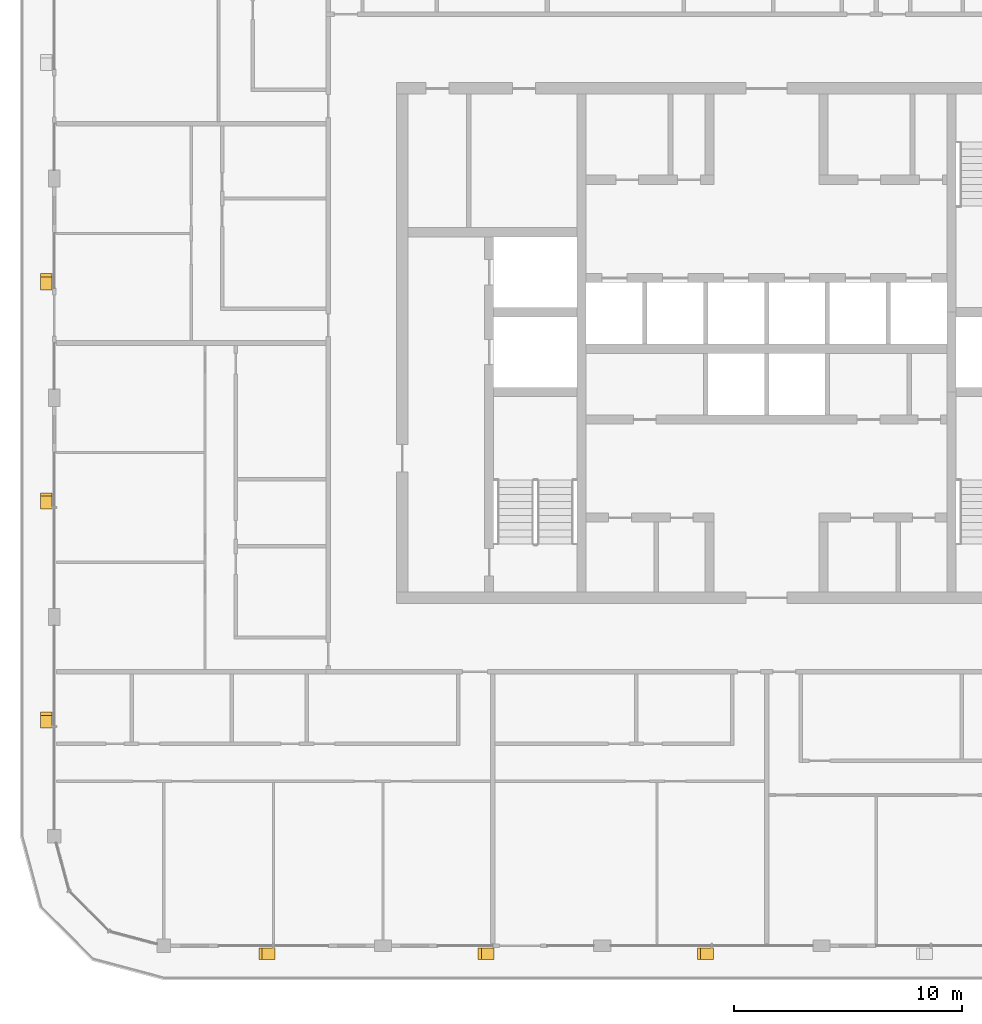
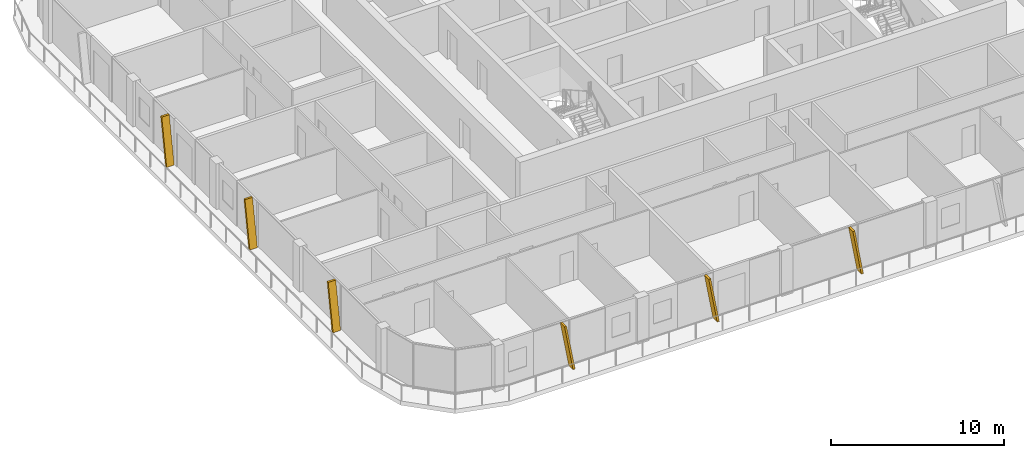
# One storey, part 16 of 21: 6 shading devices.
"""IFC4 building model written with IfcOpenShell, lengths in metres."""

from ifc_helpers import new_model, si_unit, direction, frame, origin, place, context, subcontext, project, spatial, polyline, outline, extrude, material, type_object, element, save


model = new_model("IFC4")

# Units and contexts
model_context = context("Model", 3, precision=1e-05, world=origin(), true_north=direction((0.0, 1.0)))
body_context = subcontext(model_context, "Body", "Model", "MODEL_VIEW")
ifc_project = project(units=[si_unit("LENGTHUNIT", "METRE"), si_unit("AREAUNIT", "SQUARE_METRE"), si_unit("VOLUMEUNIT", "CUBIC_METRE"), si_unit("PLANEANGLEUNIT", "RADIAN"), si_unit("MASSUNIT", "GRAM", prefix="KILO")], contexts=[model_context])

# Site, building, storey
site_placement = place(None, origin())
site = spatial("IfcSite", under=ifc_project, at=site_placement, CompositionType="ELEMENT")
building_placement = place(site_placement, origin())
building = spatial("IfcBuilding", under=site, at=building_placement, Name="Madar Terraces", CompositionType="ELEMENT")
storey_placement = place(building_placement, frame((0.0, 0.0, 272.10009765625)))
storey = spatial("IfcBuildingStorey", under=building, at=storey_placement, Name="L71", CompositionType="ELEMENT", Elevation=272.10009765625)

# Shading devices
ifc_material = material(Name="Aluminium, black anodised", Category="aluminium")
shading_device_type = type_object("IfcShadingDeviceType", Name="Facade fin blade 140 x 500", PredefinedType="USERDEFINED", material=ifc_material)
shading_device_1_placement = place(storey_placement, frame((9.530029296875, -0.35009765625, 0.0), z_axis=(0.0, 0.0, 1.0), x_axis=(1.0, 0.0, 0.0)))
element("IfcShadingDevice", 1, at=shading_device_1_placement, inside=storey, type_object=shading_device_type, Name="FIN L71 S1", ObjectType="FIN", PredefinedType="USERDEFINED", context=body_context, shape_type="SweptSolid", body=[
    extrude(outline(polyline([(0.0, 0.0), (0.139892578125, 0.0), (-0.42431640625, 3.199951171875), (-0.564208984375, 3.199951171875), (0.0, 0.0)])), frame((0.0, 0.25, 0.0), z_axis=(0.0, -1.0, 0.0), x_axis=(1.0, 0.0, 0.0)), (0.0, 0.0, 1.0), 0.5),
])
for number, where, z_axis, x_axis, name in (
    (2, (19.1298828125, -0.35009765625, 0.0), (0.0, 0.0, 1.0), (1.0, 0.0, 0.0), "FIN L71 S2"),
    (3, (28.72998046875, -0.35009765625, 0.0), (0.0, 0.0, 1.0), (1.0, 0.0, 0.0), "FIN L71 S3"),
    (4, (-0.35009765625, 28.8701171875, 0.0), (0.0, 0.0, 1.0), (0.0, -1.0, 0.0), "FIN L71 W2"),
    (5, (-0.35009765625, 19.27001953125, 0.0), (0.0, 0.0, 1.0), (0.0, -1.0, 0.0), "FIN L71 W3"),
):
    element("IfcShadingDevice", number, at=place(storey_placement, frame(where, z_axis=z_axis, x_axis=x_axis)), inside=storey, type_object=shading_device_type, Name=name, ObjectType="FIN", PredefinedType="USERDEFINED", context=body_context, shape_type="SweptSolid", body=[
        extrude(outline(polyline([(0.0, 0.0), (0.14013671875, 0.0), (-0.42431640625, 3.199951171875), (-0.564208984375, 3.199951171875), (0.0, 0.0)])), frame((0.0, 0.25, 0.0), z_axis=(0.0, -1.0, 0.0), x_axis=(1.0, 0.0, 0.0)), (0.0, 0.0, 1.0), 0.5),
    ])
shading_device_2_placement = place(storey_placement, frame((-0.35009765625, 9.669921875, 0.0), z_axis=(0.0, 0.0, 1.0), x_axis=(0.0, -1.0, 0.0)))
element("IfcShadingDevice", 6, at=shading_device_2_placement, inside=storey, type_object=shading_device_type, Name="FIN L71 W4", ObjectType="FIN", PredefinedType="USERDEFINED", context=body_context, shape_type="SweptSolid", body=[
    extrude(outline(polyline([(0.0, 0.0), (0.139892578125, 0.0), (-0.42431640625, 3.199951171875), (-0.564208984375, 3.199951171875), (0.0, 0.0)])), frame((0.0, 0.25, 0.0), z_axis=(0.0, -1.0, 0.0), x_axis=(1.0, 0.0, 0.0)), (0.0, 0.0, 1.0), 0.5),
])

save(model, "model.ifc")
